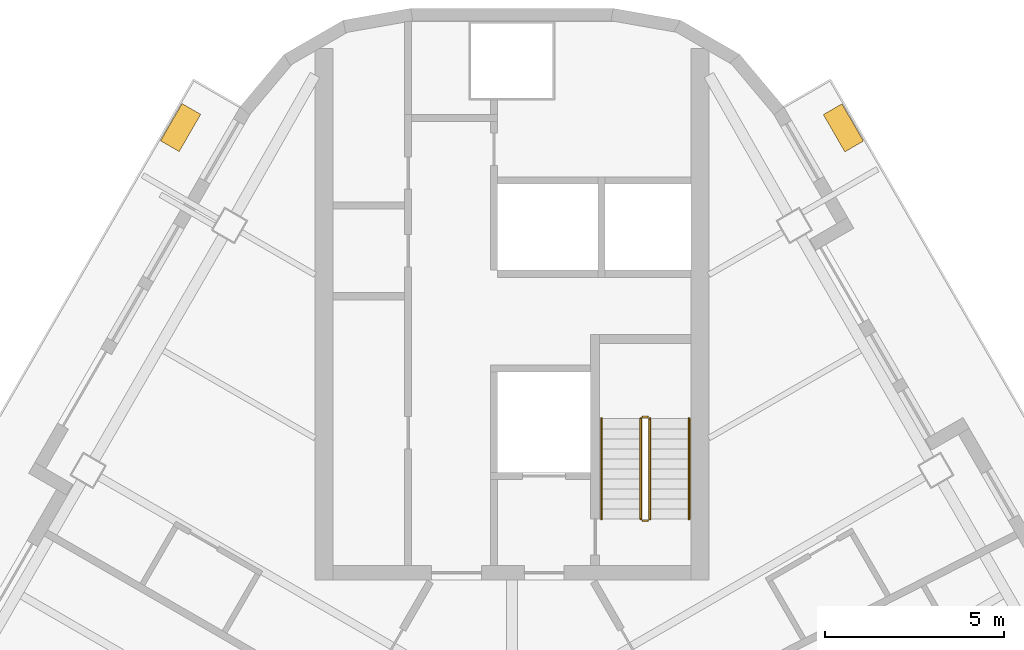
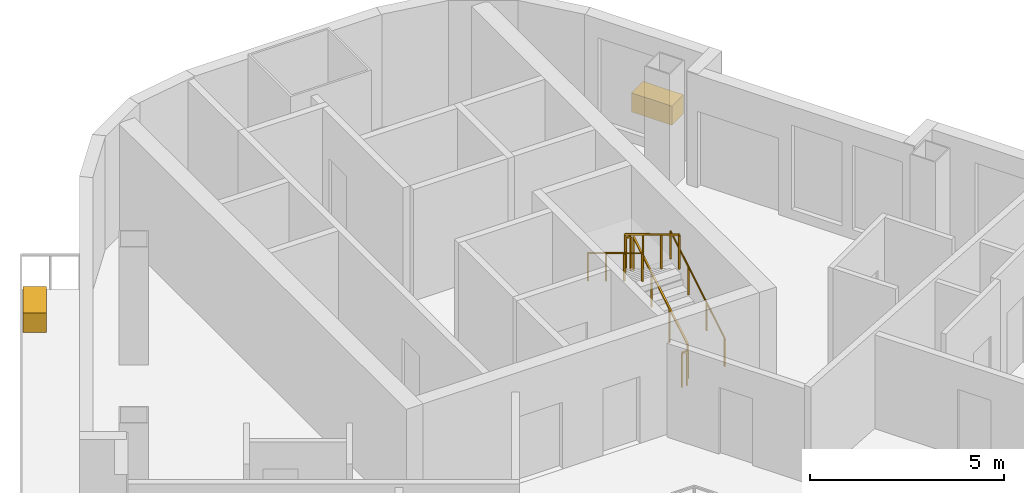
# One storey, part 14 of 14: 6 railings, 2 coverings.
"""IFC4 building model written with IfcOpenShell, lengths in metres."""

from ifc_helpers import new_model, si_unit, direction, frame, origin, origin_2d, place, context, subcontext, project, spatial, rectangle, circle, extrude, material, type_object, element, save


model = new_model("IFC4")

# Units and contexts
model_context = context("Model", 3, precision=1e-05, world=origin(), true_north=direction((0.0, 1.0)))
body_context = subcontext(model_context, "Body", "Model", "MODEL_VIEW")
ifc_project = project(units=[si_unit("LENGTHUNIT", "METRE"), si_unit("AREAUNIT", "SQUARE_METRE"), si_unit("VOLUMEUNIT", "CUBIC_METRE"), si_unit("PLANEANGLEUNIT", "RADIAN"), si_unit("MASSUNIT", "GRAM", prefix="KILO")], contexts=[model_context])

# Site, building, storey
site_placement = place(None, origin())
site = spatial("IfcSite", under=ifc_project, at=site_placement, CompositionType="ELEMENT")
building_placement = place(site_placement, origin())
building = spatial("IfcBuilding", under=site, at=building_placement, Name="Apuvela Tower Hotel", CompositionType="ELEMENT")
storey_placement = place(building_placement, frame((0.0, 0.0, 209.5)))
storey = spatial("IfcBuildingStorey", under=building, at=storey_placement, Name="L51", CompositionType="ELEMENT", Elevation=209.5)

# Railings
ifc_material_1 = material(Name="Steel S275 balustrade", Category="steel")
railing_type_1 = type_object("IfcRailingType", Name="COR-GUARD-1100", PredefinedType="GUARDRAIL", material=ifc_material_1)
railing_1_placement = place(storey_placement, frame((3.85009765625, 14.60009765625, 0.168212890625)))
element("IfcRailing", 1, at=railing_1_placement, inside=storey, type_object=railing_type_1, Name="L51 ST1 stair guard 1", PredefinedType="GUARDRAIL", context=body_context, shape_type="SweptSolid", body=[
    extrude(rectangle(XDim=0.048095703125, YDim=0.048095703125, at=origin_2d()), frame((0.0, 0.0, 1.076171875), z_axis=(0.0, 0.857222391501, 0.514946377315), x_axis=(-1.0, 0.0, 0.0)), (0.0, 0.0, 1.0), 3.26611328125),
    extrude(rectangle(XDim=0.0419921875, YDim=0.0419921875, at=origin_2d()), origin(), (0.0, 0.0, 1.0), 1.052001953125),
    extrude(rectangle(XDim=0.0419921875, YDim=0.0419921875, at=origin_2d()), frame((0.0, 0.933349609375, 0.560546875)), (0.0, 0.0, 1.0), 1.052001953125),
    extrude(rectangle(XDim=0.0419921875, YDim=0.0419921875, at=origin_2d()), frame((0.0, 1.866455078125, 1.121337890625)), (0.0, 0.0, 1.0), 1.052001953125),
    extrude(rectangle(XDim=0.0419921875, YDim=0.0419921875, at=origin_2d()), frame((0.0, 2.7998046875, 1.681884765625)), (0.0, 0.0, 1.0), 1.052001953125),
])
railing_2_placement = place(storey_placement, frame((3.800048828125, 17.449951171875, 1.85009765625)))
element("IfcRailing", 2, at=railing_2_placement, inside=storey, type_object=railing_type_1, Name="L51 ST1 stair guard 2", PredefinedType="GUARDRAIL", context=body_context, shape_type="SweptSolid", body=[
    extrude(rectangle(XDim=0.048095703125, YDim=0.048095703125, at=origin_2d()), frame((0.0, 0.0, 1.076171875), z_axis=(-1.0, 0.0, 0.0), x_axis=(0.0, -1.0, 0.0)), (0.0, 0.0, 1.0), 0.150146484375),
    extrude(rectangle(XDim=0.0419921875, YDim=0.0419921875, at=origin_2d()), origin(), (0.0, 0.0, 1.0), 1.052001953125),
    extrude(rectangle(XDim=0.0419921875, YDim=0.0419921875, at=origin_2d()), frame((-0.150146484375, 0.0, 0.0)), (0.0, 0.0, 1.0), 1.052001953125),
])
railing_3_placement = place(storey_placement, frame((3.60009765625, 17.39990234375, 2.01806640625)))
element("IfcRailing", 3, at=railing_3_placement, inside=storey, type_object=railing_type_1, Name="L51 ST1 stair guard 3", PredefinedType="GUARDRAIL", context=body_context, shape_type="SweptSolid", body=[
    extrude(rectangle(XDim=0.048095703125, YDim=0.048095703125, at=origin_2d()), frame((0.0, 0.0, 1.076171875), z_axis=(0.0, -0.857222391501, 0.514946377315), x_axis=(1.0, 0.0, 0.0)), (0.0, 0.0, 1.0), 3.26611328125),
    extrude(rectangle(XDim=0.0419921875, YDim=0.0419921875, at=origin_2d()), origin(), (0.0, 0.0, 1.0), 1.052001953125),
    extrude(rectangle(XDim=0.0419921875, YDim=0.0419921875, at=origin_2d()), frame((0.0, -0.933349609375, 0.560546875)), (0.0, 0.0, 1.0), 1.052001953125),
    extrude(rectangle(XDim=0.0419921875, YDim=0.0419921875, at=origin_2d()), frame((0.0, -1.866455078125, 1.121337890625)), (0.0, 0.0, 1.0), 1.052001953125),
    extrude(rectangle(XDim=0.0419921875, YDim=0.0419921875, at=origin_2d()), frame((0.0, -2.7998046875, 1.681884765625)), (0.0, 0.0, 1.0), 1.052001953125),
])
railing_4_placement = place(storey_placement, frame((3.800048828125, 14.550048828125, 0.0)))
element("IfcRailing", 4, at=railing_4_placement, inside=storey, type_object=railing_type_1, Name="L51 ST1 stair guard 4", PredefinedType="GUARDRAIL", context=body_context, shape_type="SweptSolid", body=[
    extrude(rectangle(XDim=0.048095703125, YDim=0.048095703125, at=origin_2d()), frame((0.0, 0.0, 1.076171875), z_axis=(-1.0, 0.0, 0.0), x_axis=(0.0, -1.0, 0.0)), (0.0, 0.0, 1.0), 0.150146484375),
    extrude(rectangle(XDim=0.0419921875, YDim=0.0419921875, at=origin_2d()), origin(), (0.0, 0.0, 1.0), 1.052001953125),
    extrude(rectangle(XDim=0.0419921875, YDim=0.0419921875, at=origin_2d()), frame((-0.150146484375, 0.0, 0.0)), (0.0, 0.0, 1.0), 1.052001953125),
])
ifc_material_2 = material(Name="Stainless steel 316 handrail", Category="steel")
railing_type_2 = type_object("IfcRailingType", Name="COR-HANDRAIL-900", PredefinedType="HANDRAIL", material=ifc_material_2)
railing_5_placement = place(storey_placement, frame((4.949951171875, 14.60009765625, 0.168212890625)))
element("IfcRailing", 5, at=railing_5_placement, inside=storey, type_object=railing_type_2, Name="L51 ST1 stair handrail 1", PredefinedType="HANDRAIL", context=body_context, shape_type="SweptSolid", body=[
    extrude(circle(Radius=0.02392578125, at=origin_2d()), frame((0.0, 0.0, 0.8759765625), z_axis=(0.0, 0.857222391501, 0.514946377315), x_axis=(-1.0, 0.0, 0.0)), (0.0, 0.0, 1.0), 3.26611328125),
    extrude(rectangle(XDim=0.0419921875, YDim=0.0419921875, at=origin_2d()), origin(), (0.0, 0.0, 1.0), 0.851806640625),
    extrude(rectangle(XDim=0.0419921875, YDim=0.0419921875, at=origin_2d()), frame((0.0, 0.933349609375, 0.560546875)), (0.0, 0.0, 1.0), 0.851806640625),
    extrude(rectangle(XDim=0.0419921875, YDim=0.0419921875, at=origin_2d()), frame((0.0, 1.866455078125, 1.121337890625)), (0.0, 0.0, 1.0), 0.851806640625),
    extrude(rectangle(XDim=0.0419921875, YDim=0.0419921875, at=origin_2d()), frame((0.0, 2.7998046875, 1.681884765625)), (0.0, 0.0, 1.0), 0.851806640625),
])
railing_6_placement = place(storey_placement, frame((2.5, 17.39990234375, 2.01806640625)))
element("IfcRailing", 6, at=railing_6_placement, inside=storey, type_object=railing_type_2, Name="L51 ST1 stair handrail 2", PredefinedType="HANDRAIL", context=body_context, shape_type="SweptSolid", body=[
    extrude(circle(Radius=0.02392578125, at=origin_2d()), frame((0.0, 0.0, 0.8759765625), z_axis=(0.0, -0.857222391501, 0.514946377315), x_axis=(1.0, 0.0, 0.0)), (0.0, 0.0, 1.0), 3.26611328125),
    extrude(rectangle(XDim=0.0419921875, YDim=0.0419921875, at=origin_2d()), origin(), (0.0, 0.0, 1.0), 0.851806640625),
    extrude(rectangle(XDim=0.0419921875, YDim=0.0419921875, at=origin_2d()), frame((0.0, -0.933349609375, 0.560546875)), (0.0, 0.0, 1.0), 0.851806640625),
    extrude(rectangle(XDim=0.0419921875, YDim=0.0419921875, at=origin_2d()), frame((0.0, -1.866455078125, 1.121337890625)), (0.0, 0.0, 1.0), 0.851806640625),
    extrude(rectangle(XDim=0.0419921875, YDim=0.0419921875, at=origin_2d()), frame((0.0, -2.7998046875, 1.681884765625)), (0.0, 0.0, 1.0), 0.851806640625),
])

# Coverings
ifc_material_3 = material(Name="Planting substrate and soil, planted")
covering_type = type_object("IfcCoveringType", Name="ENV-PLANTER-1200x600", PredefinedType="USERDEFINED", material=ifc_material_3)
for number, where, z_axis, x_axis, name in (
    (7, (9.2578125, 25.52490234375, 0.0), (0.0, 0.0, 1.0), (-0.5, 0.866025403784, 0.0), "Planter NE3"),
    (8, (-9.253662109375, 25.5322265625, 0.0), (0.0, 0.0, 1.0), (-0.5, -0.866025403784, 0.0), "Planter NW4"),
):
    element("IfcCovering", number, at=place(storey_placement, frame(where, z_axis=z_axis, x_axis=x_axis)), inside=storey, type_object=covering_type, Name=name, ObjectType="PLANTER", PredefinedType="USERDEFINED", context=body_context, shape_type="SweptSolid", body=[
        extrude(rectangle(XDim=1.199951171875, YDim=0.60009765625, at=origin_2d()), origin(), (0.0, 0.0, 1.0), 0.60009765625),
    ])

save(model, "model.ifc")
